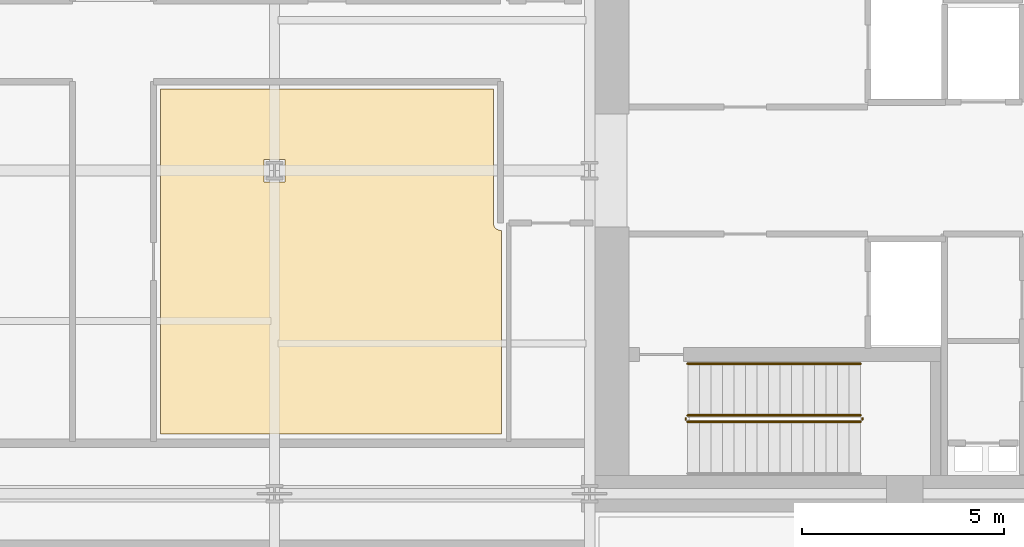
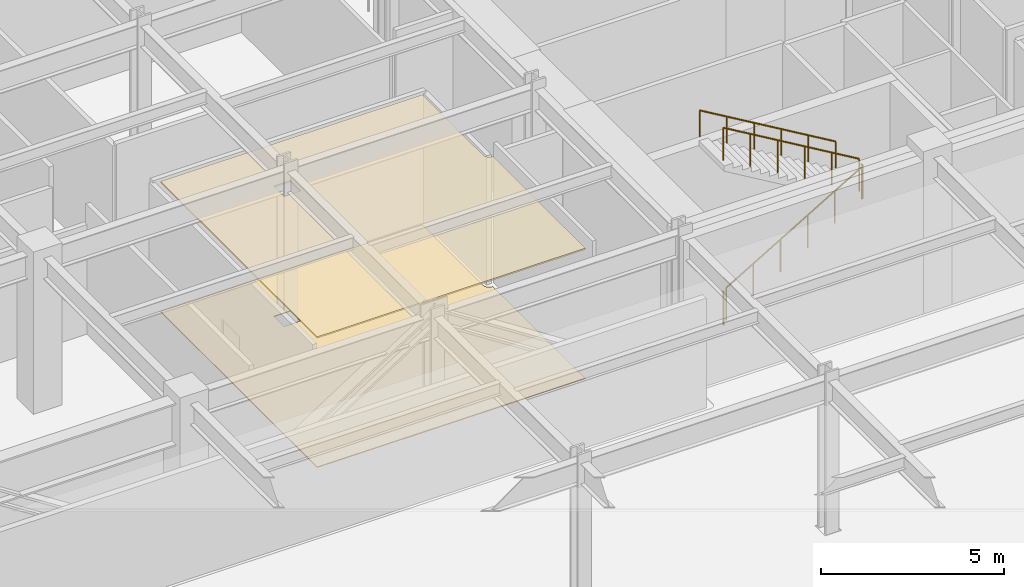
# One storey, part 12 of 14: 5 railings, 2 coverings.
"""IFC4 building model written with IfcOpenShell, lengths in metres."""

from ifc_helpers import new_model, si_unit, direction, frame, origin, origin_2d, place, context, subcontext, project, spatial, polyline, circle, outline, extrude, material, layer, layer_set, type_object, element, save


model = new_model("IFC4")

# Units and contexts
model_context = context("Model", 3, precision=1e-05, world=origin(), true_north=direction((0.0, 1.0)))
body_context = subcontext(model_context, "Body", "Model", "MODEL_VIEW")
ifc_project = project(units=[si_unit("LENGTHUNIT", "METRE"), si_unit("AREAUNIT", "SQUARE_METRE"), si_unit("VOLUMEUNIT", "CUBIC_METRE"), si_unit("PLANEANGLEUNIT", "RADIAN"), si_unit("MASSUNIT", "GRAM", prefix="KILO")], contexts=[model_context])

# Site, building, storey
site_placement = place(None, origin())
site = spatial("IfcSite", under=ifc_project, at=site_placement, CompositionType="ELEMENT")
building_placement = place(site_placement, origin())
building = spatial("IfcBuilding", under=site, at=building_placement, Name="Veymaron Broadcast Tower", CompositionType="ELEMENT")
storey_placement = place(building_placement, frame((0.0, 0.0, 27.0)))
storey = spatial("IfcBuildingStorey", under=building, at=storey_placement, Name="L05", CompositionType="ELEMENT", Elevation=27.0)

# Coverings
ifc_material_1 = material(Name="Micro-perforated dark-anodised aluminium baffle", Category="aluminium")
ifc_layer_1 = layer(ifc_material_1, 0.050048828125)
ifc_layer_set_1 = layer_set([ifc_layer_1], Name="Micro-perforated dark-anodised aluminium baffle")
covering_type_1 = type_object("IfcCoveringType", Name="COV-CEIL-MTL", PredefinedType="CEILING", material=ifc_layer_set_1)
covering_1_placement = place(storey_placement, frame((0.0, 0.0, 4.31005859375)))
element("IfcCovering", 1, at=covering_1_placement, inside=storey, type_object=covering_type_1, Name="L05 suspended acoustic ceiling 2", PredefinedType="CEILING", context=body_context, shape_type="SweptSolid", body=[
    extrude(outline(polyline([(36.620849609375, 22.682373046875), (36.62353515625, 22.664794921875), (36.627685546875, 22.647705078125), (36.6337890625, 22.631103515625), (36.641357421875, 22.614990234375), (36.650390625, 22.60009765625), (36.660888671875, 22.585693359375), (36.672607421875, 22.57275390625), (36.685791015625, 22.560791015625), (36.699951171875, 22.55029296875), (36.715087890625, 22.541259765625), (36.731201171875, 22.53369140625), (36.747802734375, 22.52783203125), (36.764892578125, 22.5234375), (36.782470703125, 22.52099609375), (36.800048828125, 22.52001953125), (36.820068359375, 22.52001953125), (36.820068359375, 17.47998046875), (28.3798828125, 17.47998046875), (28.3798828125, 26.02001953125), (36.6201171875, 26.02001953125), (36.6201171875, 22.699951171875), (36.620849609375, 22.682373046875)]), holes=[polyline([(31.458984375, 24.277587890625), (30.94091796875, 24.277587890625), (30.94091796875, 23.722412109375), (31.458984375, 23.722412109375), (31.458984375, 24.277587890625)])]), origin(), (0.0, 0.0, 1.0), 0.050048828125),
])
ifc_material_2 = material(Name="Honed Saudi basalt stone flooring", Category="masonry")
ifc_layer_2 = layer(ifc_material_2, 0.030029296875)
ifc_layer_set_2 = layer_set([ifc_layer_2], Name="Honed Saudi basalt stone flooring")
covering_type_2 = type_object("IfcCoveringType", Name="COV-FLR-STN", PredefinedType="FLOORING", material=ifc_layer_set_2)
covering_2_placement = place(storey_placement, origin())
element("IfcCovering", 2, at=covering_2_placement, inside=storey, type_object=covering_type_2, Name="L05 finished flooring 2", PredefinedType="FLOORING", context=body_context, shape_type="SweptSolid", body=[
    extrude(outline(polyline([(36.620849609375, 22.682373046875), (36.62353515625, 22.664794921875), (36.627685546875, 22.647705078125), (36.6337890625, 22.631103515625), (36.641357421875, 22.614990234375), (36.650390625, 22.60009765625), (36.660888671875, 22.585693359375), (36.672607421875, 22.57275390625), (36.685791015625, 22.560791015625), (36.699951171875, 22.55029296875), (36.715087890625, 22.541259765625), (36.731201171875, 22.53369140625), (36.747802734375, 22.52783203125), (36.764892578125, 22.5234375), (36.782470703125, 22.52099609375), (36.800048828125, 22.52001953125), (36.820068359375, 22.52001953125), (36.820068359375, 17.47998046875), (28.3798828125, 17.47998046875), (28.3798828125, 26.02001953125), (36.6201171875, 26.02001953125), (36.6201171875, 22.699951171875), (36.620849609375, 22.682373046875)]), holes=[polyline([(31.458984375, 24.277587890625), (30.94091796875, 24.277587890625), (30.94091796875, 23.722412109375), (31.458984375, 23.722412109375), (31.458984375, 24.277587890625)])]), origin(), (0.0, 0.0, 1.0), 0.030029296875),
])

# Railings
ifc_material_3 = material(Name="Brushed stainless steel AISI 304", Category="steel")
railing_type_1 = type_object("IfcRailingType", Name="RAIL-STAIR-HR", PredefinedType="HANDRAIL", material=ifc_material_3)
railing_1_placement = place(storey_placement, frame((45.705078125, 19.219970703125, 2.86865234375)))
element("IfcRailing", 3, at=railing_1_placement, inside=storey, type_object=railing_type_1, Name="L05 ST2 stair handrail 2", PredefinedType="HANDRAIL", context=body_context, shape_type="SweptSolid", body=[
    extrude(circle(Radius=0.02392578125, at=origin_2d()), frame((0.0, 0.0, 0.8759765625), z_axis=(-0.860483042394, 0.0, 0.50947908078), x_axis=(0.0, -1.0, 0.0)), (0.0, 0.0, 1.0), 4.96826171875),
    extrude(circle(Radius=0.02099609375, at=origin_2d()), origin(), (0.0, 0.0, 1.0), 0.851806640625),
    extrude(circle(Radius=0.02099609375, at=origin_2d()), frame((-0.85498046875, 0.0, 0.50634765625)), (0.0, 0.0, 1.0), 0.851806640625),
    extrude(circle(Radius=0.02099609375, at=origin_2d()), frame((-1.7099609375, 0.0, 1.012451171875)), (0.0, 0.0, 1.0), 0.851806640625),
    extrude(circle(Radius=0.02099609375, at=origin_2d()), frame((-2.565185546875, 0.0, 1.518798828125)), (0.0, 0.0, 1.0), 0.851806640625),
    extrude(circle(Radius=0.02099609375, at=origin_2d()), frame((-3.420166015625, 0.0, 2.02490234375)), (0.0, 0.0, 1.0), 0.851806640625),
    extrude(circle(Radius=0.02099609375, at=origin_2d()), frame((-4.275146484375, 0.0, 2.53125)), (0.0, 0.0, 1.0), 0.851806640625),
])
ifc_material_4 = material(Name="Painted galvanized steel balustrade", Category="steel")
railing_type_2 = type_object("IfcRailingType", Name="RAIL-WELL-GRD", PredefinedType="GUARDRAIL", material=ifc_material_4)
railing_2_placement = place(storey_placement, frame((41.429931640625, 17.780029296875, 0.168701171875)))
element("IfcRailing", 4, at=railing_2_placement, inside=storey, type_object=railing_type_2, Name="L05 ST2 stair guard 1", PredefinedType="GUARDRAIL", context=body_context, shape_type="SweptSolid", body=[
    extrude(circle(Radius=0.02392578125, at=origin_2d()), frame((0.0, 0.0, 1.076171875), z_axis=(0.860483042394, 0.0, 0.50947908078), x_axis=(0.0, 1.0, 0.0)), (0.0, 0.0, 1.0), 4.96826171875),
    extrude(circle(Radius=0.02099609375, at=origin_2d()), origin(), (0.0, 0.0, 1.0), 1.052001953125),
    extrude(circle(Radius=0.02099609375, at=origin_2d()), frame((0.85498046875, 0.0, 0.50634765625)), (0.0, 0.0, 1.0), 1.052001953125),
    extrude(circle(Radius=0.02099609375, at=origin_2d()), frame((1.7099609375, 0.0, 1.012451171875)), (0.0, 0.0, 1.0), 1.052001953125),
    extrude(circle(Radius=0.02099609375, at=origin_2d()), frame((2.565185546875, 0.0, 1.518798828125)), (0.0, 0.0, 1.0), 1.052001953125),
    extrude(circle(Radius=0.02099609375, at=origin_2d()), frame((3.420166015625, 0.0, 2.02490234375)), (0.0, 0.0, 1.0), 1.052001953125),
    extrude(circle(Radius=0.02099609375, at=origin_2d()), frame((4.275146484375, 0.0, 2.53125)), (0.0, 0.0, 1.0), 1.052001953125),
])
railing_3_placement = place(storey_placement, frame((45.7548828125, 17.830078125, 2.699951171875)))
element("IfcRailing", 5, at=railing_3_placement, inside=storey, type_object=railing_type_2, Name="L05 ST2 stair guard 2", PredefinedType="GUARDRAIL", context=body_context, shape_type="SweptSolid", body=[
    extrude(circle(Radius=0.02392578125, at=origin_2d()), frame((0.0, 0.0, 1.076171875), z_axis=(0.0, 1.0, 0.0), x_axis=(-1.0, 0.0, 0.0)), (0.0, 0.0, 1.0), 0.059814453125),
    extrude(circle(Radius=0.02099609375, at=origin_2d()), origin(), (0.0, 0.0, 1.0), 1.052001953125),
])
railing_4_placement = place(storey_placement, frame((45.705078125, 17.93994140625, 2.86865234375)))
element("IfcRailing", 6, at=railing_4_placement, inside=storey, type_object=railing_type_2, Name="L05 ST2 stair guard 3", PredefinedType="GUARDRAIL", context=body_context, shape_type="SweptSolid", body=[
    extrude(circle(Radius=0.02392578125, at=origin_2d()), frame((0.0, 0.0, 1.076171875), z_axis=(-0.860483042394, 0.0, 0.50947908078), x_axis=(0.0, -1.0, 0.0)), (0.0, 0.0, 1.0), 4.96826171875),
    extrude(circle(Radius=0.02099609375, at=origin_2d()), origin(), (0.0, 0.0, 1.0), 1.052001953125),
    extrude(circle(Radius=0.02099609375, at=origin_2d()), frame((-0.85498046875, 0.0, 0.50634765625)), (0.0, 0.0, 1.0), 1.052001953125),
    extrude(circle(Radius=0.02099609375, at=origin_2d()), frame((-1.7099609375, 0.0, 1.012451171875)), (0.0, 0.0, 1.0), 1.052001953125),
    extrude(circle(Radius=0.02099609375, at=origin_2d()), frame((-2.565185546875, 0.0, 1.518798828125)), (0.0, 0.0, 1.0), 1.052001953125),
    extrude(circle(Radius=0.02099609375, at=origin_2d()), frame((-3.420166015625, 0.0, 2.02490234375)), (0.0, 0.0, 1.0), 1.052001953125),
    extrude(circle(Radius=0.02099609375, at=origin_2d()), frame((-4.275146484375, 0.0, 2.53125)), (0.0, 0.0, 1.0), 1.052001953125),
])
railing_5_placement = place(storey_placement, frame((41.3798828125, 17.830078125, 0.0)))
element("IfcRailing", 7, at=railing_5_placement, inside=storey, type_object=railing_type_2, Name="L05 ST2 stair guard 4", PredefinedType="GUARDRAIL", context=body_context, shape_type="SweptSolid", body=[
    extrude(circle(Radius=0.02392578125, at=origin_2d()), frame((0.0, 0.0, 1.076171875), z_axis=(0.0, 1.0, 0.0), x_axis=(-1.0, 0.0, 0.0)), (0.0, 0.0, 1.0), 0.059814453125),
    extrude(circle(Radius=0.02099609375, at=origin_2d()), origin(), (0.0, 0.0, 1.0), 1.052001953125),
])

save(model, "model.ifc")
